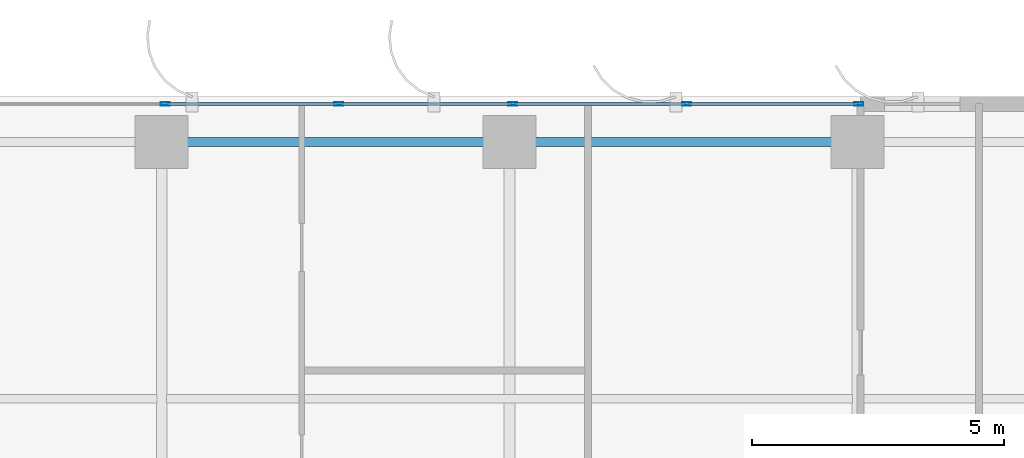
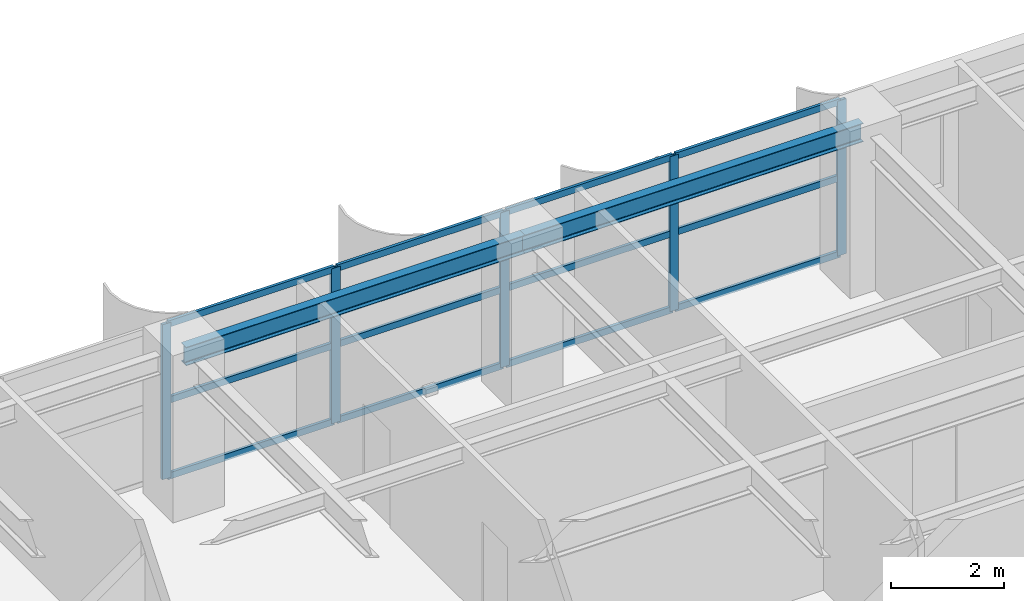
# One storey, part 12 of 21: 17 members, 2 beams, 1 element without a shape of its own.
"""IFC4 building model written with IfcOpenShell, lengths in metres."""

import ifcopenshell
import ifcopenshell.guid

model = None  # the IFC model being written
_history = None  # IfcOwnerHistory: only IFC2X3 demands one
_inside = {}  # id of a spatial element -> (the spatial element, [elements in it])
_under = {}  # id of a project, library or spatial element -> (it, [spatial elements below it])
_declared = {}  # id of a project -> (the project, [libraries it declares])
_typed = {}  # id of a type object -> (the type object, [elements of that type])
_made_of = {}  # id of a material, layer set ... -> (it, [elements and type objects made of it])


def new_model(schema):
    """Start an empty IFC model of exactly this schema.

    Asked for "IFC4X3", IfcOpenShell would pick the latest addendum, in which some entities
    have other attributes; the version numbers below select the first issue.
    IFC2X3 requires an IfcOwnerHistory on every rooted entity: one is made here for all.
    """
    global model, _history
    if schema == "IFC4X3":
        model = ifcopenshell.file(schema_version=(4, 3, 0, 0))
    else:
        model = ifcopenshell.file(schema=schema)
    _inside.clear()
    _under.clear()
    _declared.clear()
    _typed.clear()
    _made_of.clear()
    _history = None
    if model.schema == "IFC2X3":
        org = make("IfcOrganization", Name="unknown")
        user = make(
            "IfcPersonAndOrganization",
            ThePerson=make("IfcPerson", FamilyName="unknown"),
            TheOrganization=org,
        )
        app = make(
            "IfcApplication",
            ApplicationDeveloper=org,
            Version="unknown",
            ApplicationFullName="unknown",
            ApplicationIdentifier="unknown",
        )
        _history = make(
            "IfcOwnerHistory",
            OwningUser=user,
            OwningApplication=app,
            ChangeAction="ADDED",
            CreationDate=0,
        )
    return model


def make(cls, **values):
    """One entity of the class cls with the attributes given. An attribute that is None is left unset."""
    return model.create_entity(
        cls, **{name: value for name, value in values.items() if value is not None}
    )


def rooted(cls, **values):
    """An entity with a GlobalId (a new one), such as an element, a storey or a relation."""
    return make(cls, GlobalId=ifcopenshell.guid.new(), OwnerHistory=_history, **values)


def si_unit(unit_type, name, prefix=None):
    """IfcSIUnit, for example si_unit("LENGTHUNIT", "METRE", prefix="MILLI")."""
    return make("IfcSIUnit", UnitType=unit_type, Prefix=prefix, Name=name)


def assignment(units):
    """IfcUnitAssignment: the units of a project."""
    return None if units is None else make("IfcUnitAssignment", Units=units)


def point(xyz):
    """IfcCartesianPoint."""
    return None if xyz is None else make("IfcCartesianPoint", Coordinates=xyz)


def direction(xyz):
    """IfcDirection."""
    return None if xyz is None else make("IfcDirection", DirectionRatios=xyz)


def frame(location, z_axis=None, x_axis=None):
    """IfcAxis2Placement3D, a coordinate frame: its origin and axes. An axis left out is left unset."""
    return make(
        "IfcAxis2Placement3D",
        Location=point(location),
        Axis=direction(z_axis),
        RefDirection=direction(x_axis),
    )


def frame_2d(location, x_axis=None):
    """IfcAxis2Placement2D, a coordinate frame in the plane: its origin and x axis."""
    return make(
        "IfcAxis2Placement2D", Location=point(location), RefDirection=direction(x_axis)
    )


def origin():
    """The frame at (0, 0, 0) with its axes left unset."""
    return frame((0.0, 0.0, 0.0))


def origin_2d():
    """The frame at (0, 0) in the plane with its x axis left unset."""
    return frame_2d((0.0, 0.0))


def place(relative_to, where):
    """IfcLocalPlacement: puts the frame where relative to a parent placement (None: the world)."""
    return make(
        "IfcLocalPlacement", PlacementRelTo=relative_to, RelativePlacement=where
    )


def context(
    kind, dimensions, precision=None, world=None, true_north=None, identifier=None
):
    """IfcGeometricRepresentationContext, for example the 3D "Model" context."""
    return make(
        "IfcGeometricRepresentationContext",
        ContextIdentifier=identifier,
        ContextType=kind,
        CoordinateSpaceDimension=dimensions,
        Precision=precision,
        WorldCoordinateSystem=world,
        TrueNorth=true_north,
    )


def subcontext(parent, identifier, kind, view, scale=None):
    """IfcGeometricRepresentationSubContext, for example "Body" below "Model"."""
    return make(
        "IfcGeometricRepresentationSubContext",
        ContextIdentifier=identifier,
        ContextType=kind,
        ParentContext=parent,
        TargetScale=scale,
        TargetView=view,
    )


def project(units=None, contexts=None):
    """IfcProject with its units and contexts."""
    return rooted(
        "IfcProject",
        Name="project",
        RepresentationContexts=contexts,
        UnitsInContext=assignment(units),
    )


def spatial(cls, under=None, at=None, **own):
    """A site, building, storey or space (cls), placed at a placement, below another one or the project."""
    s = rooted(cls, ObjectPlacement=at, **own)
    if under is not None:
        _under.setdefault(under.id(), (under, []))[1].append(s)
    return s


def profile(cls, at=None, kind="AREA", **sizes):
    """A parametric profile (cls). Its sizes go by their IFC names, for example OverallWidth=200.0."""
    return make(cls, ProfileType=kind, Position=at, **sizes)


def hollow_rectangle(**sizes):
    """IfcRectangleHollowProfileDef."""
    return profile("IfcRectangleHollowProfileDef", **sizes)


def i_section(**sizes):
    """IfcIShapeProfileDef."""
    return profile("IfcIShapeProfileDef", **sizes)


def extrude(swept, where, along, depth):
    """IfcExtrudedAreaSolid: the profile swept, set in the frame where, extruded along a direction by depth."""
    return make(
        "IfcExtrudedAreaSolid",
        SweptArea=swept,
        Position=where,
        ExtrudedDirection=direction(along),
        Depth=depth,
    )


def shape(context_of_items, identifier, shape_type, items):
    """IfcShapeRepresentation: the items that make up one representation, for example the "Body"."""
    return make(
        "IfcShapeRepresentation",
        ContextOfItems=context_of_items,
        RepresentationIdentifier=identifier,
        RepresentationType=shape_type,
        Items=items,
    )


def source(mapping_origin, context_of_items, identifier, shape_type, items):
    """IfcRepresentationMap: a shape defined once, which mapped items show again and again."""
    return make(
        "IfcRepresentationMap",
        MappingOrigin=mapping_origin,
        MappedRepresentation=shape(context_of_items, identifier, shape_type, items),
    )


def transform(
    local_origin,
    x_axis=None,
    y_axis=None,
    z_axis=None,
    scale=None,
    scale2=None,
    scale3=None,
    uniform=True,
):
    """IfcCartesianTransformationOperator3D, or its non-uniform kind. x_axis, y_axis, z_axis: its Axis1, 2, 3."""
    if uniform:
        return make(
            "IfcCartesianTransformationOperator3D",
            Axis1=direction(x_axis),
            Axis2=direction(y_axis),
            LocalOrigin=point(local_origin),
            Scale=scale,
            Axis3=direction(z_axis),
        )
    return make(
        "IfcCartesianTransformationOperator3DnonUniform",
        Axis1=direction(x_axis),
        Axis2=direction(y_axis),
        LocalOrigin=point(local_origin),
        Scale=scale,
        Axis3=direction(z_axis),
        Scale2=scale2,
        Scale3=scale3,
    )


def mapped(mapping_source, mapping_target):
    """IfcMappedItem: shows the shape of a source again, moved by a transform."""
    return make(
        "IfcMappedItem", MappingSource=mapping_source, MappingTarget=mapping_target
    )


def material(Name=None, Category=None):
    """IfcMaterial."""
    return make("IfcMaterial", Name=Name, Category=Category)


def layer(
    of_material, thickness, ventilated=None, Name=None, Category=None, Priority=None
):
    """IfcMaterialLayer: one layer of a wall or slab, of a material (None: an air gap)."""
    return make(
        "IfcMaterialLayer",
        Material=of_material,
        LayerThickness=thickness,
        IsVentilated=ventilated,
        Name=Name,
        Category=Category,
        Priority=Priority,
    )


def layer_set(layers, Name=None):
    """IfcMaterialLayerSet."""
    return make("IfcMaterialLayerSet", MaterialLayers=layers, LayerSetName=Name)


def material_profile(
    of_material, cross_section, Name=None, Category=None, Priority=None
):
    """IfcMaterialProfile: a cross section and its material."""
    return make(
        "IfcMaterialProfile",
        Name=Name,
        Material=of_material,
        Profile=cross_section,
        Priority=Priority,
        Category=Category,
    )


def profile_set(profiles, Name=None, composite=None):
    """IfcMaterialProfileSet."""
    return make(
        "IfcMaterialProfileSet",
        Name=Name,
        MaterialProfiles=profiles,
        CompositeProfile=composite,
    )


def made_of(thing, what):
    """Note that an element or type object is made of a material, layer set ...; save() writes the relation."""
    if what is not None:
        _made_of.setdefault(what.id(), (what, []))[1].append(thing)
    return thing


def type_object(cls, material=None, **own):
    """A type object (cls), such as IfcWallType, which elements share."""
    return made_of(rooted(cls, **own), material)


def element(
    cls,
    number,
    at=None,
    inside=None,
    cuts=None,
    type_object=None,
    material=None,
    context=None,
    identifier="Body",
    shape_type=None,
    held_by="IfcProductDefinitionShape",
    body=None,
    shapes=None,
    **own,
):
    """One element of the class cls, such as IfcWall. Its Tag is "e" and its number.

    at: its placement. inside: the storey or other place that contains it. cuts: it is an
    opening in that element (IfcRelVoidsElement). A single representation is given by context,
    identifier, shape_type and body (its items); several are given by shapes. held_by: the class
    of the entity that holds the representations. save() writes the other relations.
    """
    e = rooted(cls, Tag="e%d" % number, ObjectPlacement=at, **own)
    if body is not None:
        shapes = [shape(context, identifier, shape_type, body)]
    if shapes is not None:
        e.Representation = make(held_by, Representations=shapes)
    if inside is not None:
        _inside.setdefault(inside.id(), (inside, []))[1].append(e)
    if cuts is not None:
        rooted(
            "IfcRelVoidsElement", RelatingBuildingElement=cuts, RelatedOpeningElement=e
        )
    if type_object is not None:
        _typed.setdefault(type_object.id(), (type_object, []))[1].append(e)
    return made_of(e, material)


def aggregate(whole, parts):
    """IfcRelAggregates: a whole, such as a stair, and the parts it consists of."""
    return rooted("IfcRelAggregates", RelatingObject=whole, RelatedObjects=parts)


def save(model, path):
    """Write the relations noted so far, then the file.

    IfcRelAggregates (storeys below a building ...), IfcRelContainedInSpatialStructure (elements
    in a storey), IfcRelDefinesByType, IfcRelAssociatesMaterial and IfcRelDeclares: one each for
    every whole, place, type object, material and project.
    """
    for whole, parts in _under.values():
        aggregate(whole, parts)
    for where, things in _inside.values():
        rooted(
            "IfcRelContainedInSpatialStructure",
            RelatedElements=things,
            RelatingStructure=where,
        )
    for kind, things in _typed.values():
        rooted("IfcRelDefinesByType", RelatedObjects=things, RelatingType=kind)
    for what, things in _made_of.values():
        rooted("IfcRelAssociatesMaterial", RelatedObjects=things, RelatingMaterial=what)
    for by, libraries in _declared.values():
        rooted("IfcRelDeclares", RelatingContext=by, RelatedDefinitions=libraries)
    model.write(path)


model = new_model("IFC4")

# Units and contexts
model_context = context("Model", 3, precision=1e-05, world=origin(), true_north=direction((0.0, 1.0)))
body_context = subcontext(model_context, "Body", "Model", "MODEL_VIEW")
ifc_project = project(units=[si_unit("LENGTHUNIT", "METRE"), si_unit("AREAUNIT", "SQUARE_METRE"), si_unit("VOLUMEUNIT", "CUBIC_METRE"), si_unit("PLANEANGLEUNIT", "RADIAN"), si_unit("MASSUNIT", "GRAM", prefix="KILO")], contexts=[model_context])

# Site, building, storey
site_placement = place(None, origin())
site = spatial("IfcSite", under=ifc_project, at=site_placement, CompositionType="ELEMENT")
building_placement = place(site_placement, origin())
building = spatial("IfcBuilding", under=site, at=building_placement, Name="Khoralis Quay Care Tower", CompositionType="ELEMENT")
storey_placement = place(building_placement, frame((0.0, 0.0, 112.5)))
storey = spatial("IfcBuildingStorey", under=building, at=storey_placement, Name="L29", CompositionType="ELEMENT", Elevation=112.5)

# Beams
ifc_material_1 = material(Name="Steel S355", Category="steel")
ifc_material_profile_1 = material_profile(ifc_material_1, i_section(OverallWidth=0.179931640625, OverallDepth=0.39990234375, WebThickness=0.008544921875, FlangeThickness=0.013427734375, FilletRadius=0.02099609375, at=origin_2d()), Name="Steel S355")
ifc_profile_set_1 = profile_set([ifc_material_profile_1], Name="Steel S355")
beam_type = type_object("IfcBeamType", Name="BM-IPE400", PredefinedType="SPANDREL", material=ifc_profile_set_1)
shared_shape_1 = source(origin(), body_context, "Body", "SweptSolid", [
    extrude(i_section(OverallWidth=0.179931640625, OverallDepth=0.39990234375, WebThickness=0.008544921875, FlangeThickness=0.013427734375, FilletRadius=0.02099609375, at=origin_2d()), origin(), (0.0, 0.0, 1.0), 6.89990234375),
])
for number, where, z_axis, x_axis, name in (
    (1, (17.10009765625, 44.10009765625, 3.139892578125), (1.0, 0.0, 0.0), (0.0, 1.0, 0.0), "BM-TSP-L29-08"),
    (2, (24.0, 44.10009765625, 3.139892578125), (1.0, 0.0, 0.0), (0.0, 1.0, 0.0), "BM-TSP-L29-09"),
):
    element("IfcBeam", number, at=place(storey_placement, frame(where, z_axis=z_axis, x_axis=x_axis)), inside=storey, type_object=beam_type, Name=name, PredefinedType="SPANDREL", context=body_context, shape_type="MappedRepresentation", body=[
        mapped(shared_shape_1, transform((0.0, 0.0, 0.0), scale=1.0)),
    ])

# Curtain wall, members
ifc_material_2 = material(Name="Pale anodised aluminium", Category="aluminium")
ifc_layer = layer(ifc_material_2, 0.169921875)
ifc_layer_set = layer_set([ifc_layer], Name="Pale anodised aluminium")
curtain_wall_type = type_object("IfcCurtainWallType", Name="CW-SYS-Z2", PredefinedType="NOTDEFINED", material=ifc_layer_set)
curtain_wall_placement = place(storey_placement, origin())
curtain_wall = element("IfcCurtainWall", 3, at=curtain_wall_placement, inside=storey, type_object=curtain_wall_type, Name="L29 Unitised Curtain Wall CW-L29-P1-E10", PredefinedType="NOTDEFINED")
ifc_material_profile_2 = material_profile(ifc_material_2, hollow_rectangle(XDim=0.06494140625, YDim=0.179931640625, WallThickness=0.00390625, at=origin_2d()), Name="Pale anodised aluminium")
ifc_profile_set_2 = profile_set([ifc_material_profile_2], Name="Pale anodised aluminium")
member_type_1 = type_object("IfcMemberType", Name="CW-MUL-180", PredefinedType="MULLION", material=ifc_profile_set_2)
shared_shape_2 = source(origin(), body_context, "Body", "SweptSolid", [
    extrude(hollow_rectangle(XDim=0.06494140625, YDim=0.179931640625, WallThickness=0.00390625, at=origin_2d()), origin(), (0.0, 0.0, 1.0), 3.340087890625),
])
member_1_placement = place(storey_placement, frame((30.929931640625, 44.85009765625, 0.0), z_axis=(0.0, 0.0, 1.0), x_axis=(0.0, -1.0, 0.0)))
member_1 = element("IfcMember", 4, at=member_1_placement, type_object=member_type_1, Name="CW2 mullion 1", PredefinedType="MULLION", context=body_context, shape_type="MappedRepresentation", body=[
    mapped(shared_shape_2, transform((0.0, 0.0, 0.0), scale=1.0)),
])
member_2_placement = place(storey_placement, frame((27.511962890625, 44.85009765625, 0.0), z_axis=(0.0, 0.0, 1.0), x_axis=(0.0, -1.0, 0.0)))
member_2 = element("IfcMember", 5, at=member_2_placement, type_object=member_type_1, Name="CW2 mullion 2", PredefinedType="MULLION", context=body_context, shape_type="MappedRepresentation", body=[
    mapped(shared_shape_2, transform((0.0, 0.0, 0.0), scale=1.0)),
])
member_3_placement = place(storey_placement, frame((24.06396484375, 44.85009765625, 0.0), z_axis=(0.0, 0.0, 1.0), x_axis=(0.0, -1.0, 0.0)))
member_3 = element("IfcMember", 6, at=member_3_placement, type_object=member_type_1, Name="CW2 mullion 3", PredefinedType="MULLION", context=body_context, shape_type="MappedRepresentation", body=[
    mapped(shared_shape_2, transform((0.0, 0.0, 0.0), scale=1.0)),
])
member_4_placement = place(storey_placement, frame((20.615966796875, 44.85009765625, 0.0), z_axis=(0.0, 0.0, 1.0), x_axis=(0.0, -1.0, 0.0)))
member_4 = element("IfcMember", 7, at=member_4_placement, type_object=member_type_1, Name="CW2 mullion 4", PredefinedType="MULLION", context=body_context, shape_type="MappedRepresentation", body=[
    mapped(shared_shape_2, transform((0.0, 0.0, 0.0), scale=1.0)),
])
member_5_placement = place(storey_placement, frame((17.16796875, 44.85009765625, 0.0), z_axis=(0.0, 0.0, 1.0), x_axis=(0.0, -1.0, 0.0)))
member_5 = element("IfcMember", 8, at=member_5_placement, type_object=member_type_1, Name="CW2 mullion 5", PredefinedType="MULLION", context=body_context, shape_type="MappedRepresentation", body=[
    mapped(shared_shape_2, transform((0.0, 0.0, 0.0), scale=1.0)),
])
ifc_material_profile_3 = material_profile(ifc_material_2, hollow_rectangle(XDim=0.06005859375, YDim=0.139892578125, WallThickness=0.00390625, at=origin_2d()), Name="Pale anodised aluminium")
ifc_profile_set_3 = profile_set([ifc_material_profile_3], Name="Pale anodised aluminium")
member_type_2 = type_object("IfcMemberType", Name="CW-TRN-140", PredefinedType="USERDEFINED", material=ifc_profile_set_3)
shared_shape_3 = source(origin(), body_context, "Body", "SweptSolid", [
    extrude(hollow_rectangle(XDim=0.06005859375, YDim=0.139892578125, WallThickness=0.00390625, at=origin_2d()), origin(), (0.0, 0.0, 1.0), 3.35791015625),
])
member_6_placement = place(storey_placement, frame((30.89990234375, 44.85009765625, 0.030029296875), z_axis=(-1.0, 0.0, 0.0), x_axis=(0.0, -1.0, 0.0)))
member_6 = element("IfcMember", 9, at=member_6_placement, type_object=member_type_2, Name="CW2 transom 1.1", ObjectType="TRANSOM", PredefinedType="USERDEFINED", context=body_context, shape_type="MappedRepresentation", body=[
    mapped(shared_shape_3, transform((0.0, 0.0, 0.0), scale=1.0)),
])
member_7_placement = place(storey_placement, frame((30.89990234375, 44.85009765625, 1.669921875), z_axis=(-1.0, 0.0, 0.0), x_axis=(0.0, -1.0, 0.0)))
member_7 = element("IfcMember", 10, at=member_7_placement, type_object=member_type_2, Name="CW2 transom 1.2", ObjectType="TRANSOM", PredefinedType="USERDEFINED", context=body_context, shape_type="MappedRepresentation", body=[
    mapped(shared_shape_3, transform((0.0, 0.0, 0.0), scale=1.0)),
])
member_8_placement = place(storey_placement, frame((30.89990234375, 44.85009765625, 3.31005859375), z_axis=(-1.0, 0.0, 0.0), x_axis=(0.0, -1.0, 0.0)))
member_8 = element("IfcMember", 11, at=member_8_placement, type_object=member_type_2, Name="CW2 transom 1.3", ObjectType="TRANSOM", PredefinedType="USERDEFINED", context=body_context, shape_type="MappedRepresentation", body=[
    mapped(shared_shape_3, transform((0.0, 0.0, 0.0), scale=1.0)),
])
shared_shape_4 = source(origin(), body_context, "Body", "SweptSolid", [
    extrude(hollow_rectangle(XDim=0.06005859375, YDim=0.139892578125, WallThickness=0.00390625, at=origin_2d()), origin(), (0.0, 0.0, 1.0), 3.387939453125),
])
member_9_placement = place(storey_placement, frame((27.48193359375, 44.85009765625, 0.030029296875), z_axis=(-1.0, 0.0, 0.0), x_axis=(0.0, -1.0, 0.0)))
member_9 = element("IfcMember", 12, at=member_9_placement, type_object=member_type_2, Name="CW2 transom 2.1", ObjectType="TRANSOM", PredefinedType="USERDEFINED", context=body_context, shape_type="MappedRepresentation", body=[
    mapped(shared_shape_4, transform((0.0, 0.0, 0.0), scale=1.0)),
])
member_10_placement = place(storey_placement, frame((27.48193359375, 44.85009765625, 1.669921875), z_axis=(-1.0, 0.0, 0.0), x_axis=(0.0, -1.0, 0.0)))
member_10 = element("IfcMember", 13, at=member_10_placement, type_object=member_type_2, Name="CW2 transom 2.2", ObjectType="TRANSOM", PredefinedType="USERDEFINED", context=body_context, shape_type="MappedRepresentation", body=[
    mapped(shared_shape_4, transform((0.0, 0.0, 0.0), scale=1.0)),
])
member_11_placement = place(storey_placement, frame((27.48193359375, 44.85009765625, 3.31005859375), z_axis=(-1.0, 0.0, 0.0), x_axis=(0.0, -1.0, 0.0)))
member_11 = element("IfcMember", 14, at=member_11_placement, type_object=member_type_2, Name="CW2 transom 2.3", ObjectType="TRANSOM", PredefinedType="USERDEFINED", context=body_context, shape_type="MappedRepresentation", body=[
    mapped(shared_shape_4, transform((0.0, 0.0, 0.0), scale=1.0)),
])
member_12_placement = place(storey_placement, frame((24.033935546875, 44.85009765625, 0.030029296875), z_axis=(-1.0, 0.0, 0.0), x_axis=(0.0, -1.0, 0.0)))
member_12 = element("IfcMember", 15, at=member_12_placement, type_object=member_type_2, Name="CW2 transom 3.1", ObjectType="TRANSOM", PredefinedType="USERDEFINED", context=body_context, shape_type="MappedRepresentation", body=[
    mapped(shared_shape_4, transform((0.0, 0.0, 0.0), scale=1.0)),
])
member_13_placement = place(storey_placement, frame((24.033935546875, 44.85009765625, 1.669921875), z_axis=(-1.0, 0.0, 0.0), x_axis=(0.0, -1.0, 0.0)))
member_13 = element("IfcMember", 16, at=member_13_placement, type_object=member_type_2, Name="CW2 transom 3.2", ObjectType="TRANSOM", PredefinedType="USERDEFINED", context=body_context, shape_type="MappedRepresentation", body=[
    mapped(shared_shape_4, transform((0.0, 0.0, 0.0), scale=1.0)),
])
member_14_placement = place(storey_placement, frame((24.033935546875, 44.85009765625, 3.31005859375), z_axis=(-1.0, 0.0, 0.0), x_axis=(0.0, -1.0, 0.0)))
member_14 = element("IfcMember", 17, at=member_14_placement, type_object=member_type_2, Name="CW2 transom 3.3", ObjectType="TRANSOM", PredefinedType="USERDEFINED", context=body_context, shape_type="MappedRepresentation", body=[
    mapped(shared_shape_4, transform((0.0, 0.0, 0.0), scale=1.0)),
])
member_15_placement = place(storey_placement, frame((20.5859375, 44.85009765625, 0.030029296875), z_axis=(-1.0, 0.0, 0.0), x_axis=(0.0, -1.0, 0.0)))
member_15 = element("IfcMember", 18, at=member_15_placement, type_object=member_type_2, Name="CW2 transom 4.1", ObjectType="TRANSOM", PredefinedType="USERDEFINED", context=body_context, shape_type="MappedRepresentation", body=[
    mapped(shared_shape_4, transform((0.0, 0.0, 0.0), scale=1.0)),
])
member_16_placement = place(storey_placement, frame((20.5859375, 44.85009765625, 1.669921875), z_axis=(-1.0, 0.0, 0.0), x_axis=(0.0, -1.0, 0.0)))
member_16 = element("IfcMember", 19, at=member_16_placement, type_object=member_type_2, Name="CW2 transom 4.2", ObjectType="TRANSOM", PredefinedType="USERDEFINED", context=body_context, shape_type="MappedRepresentation", body=[
    mapped(shared_shape_4, transform((0.0, 0.0, 0.0), scale=1.0)),
])
member_17_placement = place(storey_placement, frame((20.5859375, 44.85009765625, 3.31005859375), z_axis=(-1.0, 0.0, 0.0), x_axis=(0.0, -1.0, 0.0)))
member_17 = element("IfcMember", 20, at=member_17_placement, type_object=member_type_2, Name="CW2 transom 4.3", ObjectType="TRANSOM", PredefinedType="USERDEFINED", context=body_context, shape_type="MappedRepresentation", body=[
    mapped(shared_shape_4, transform((0.0, 0.0, 0.0), scale=1.0)),
])
aggregate(curtain_wall, [member_1, member_2, member_3, member_4, member_5, member_6, member_7, member_8, member_9, member_10, member_11, member_12, member_13, member_14, member_15, member_16, member_17])

save(model, "model.ifc")
